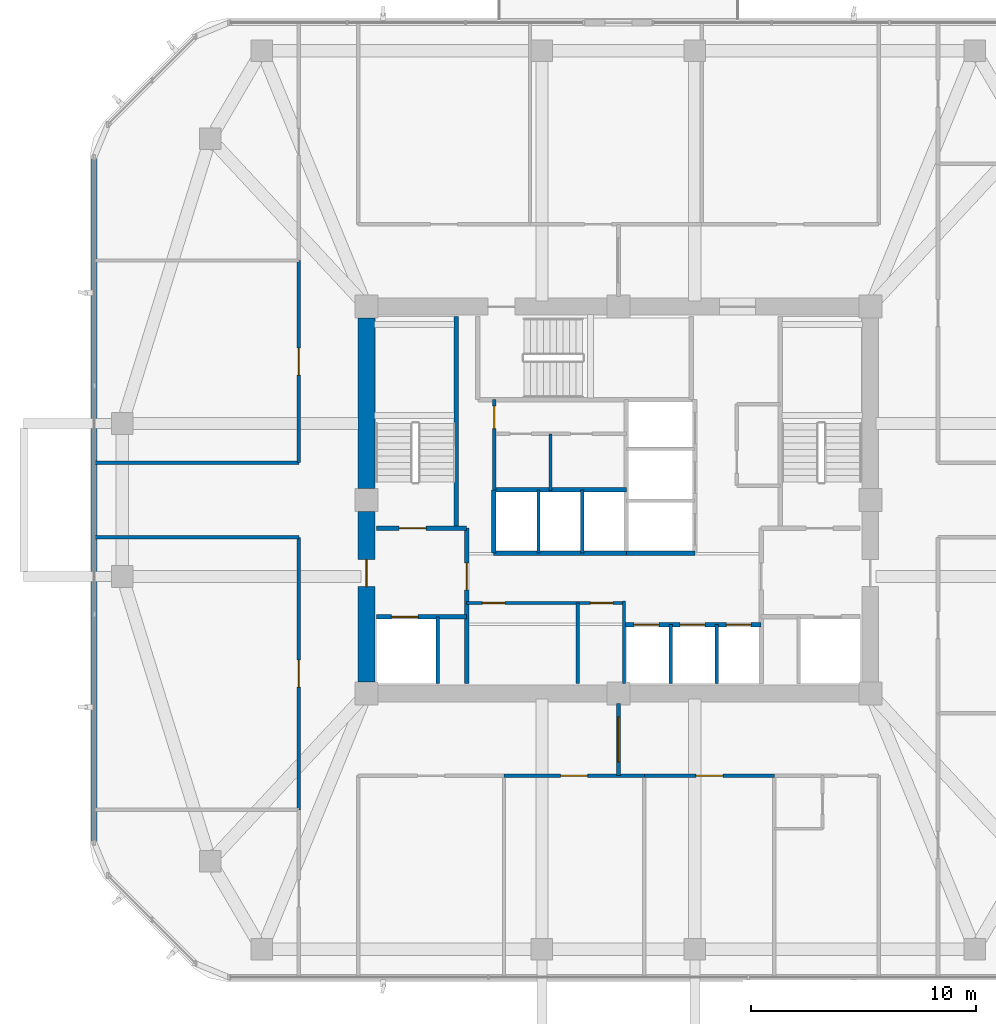
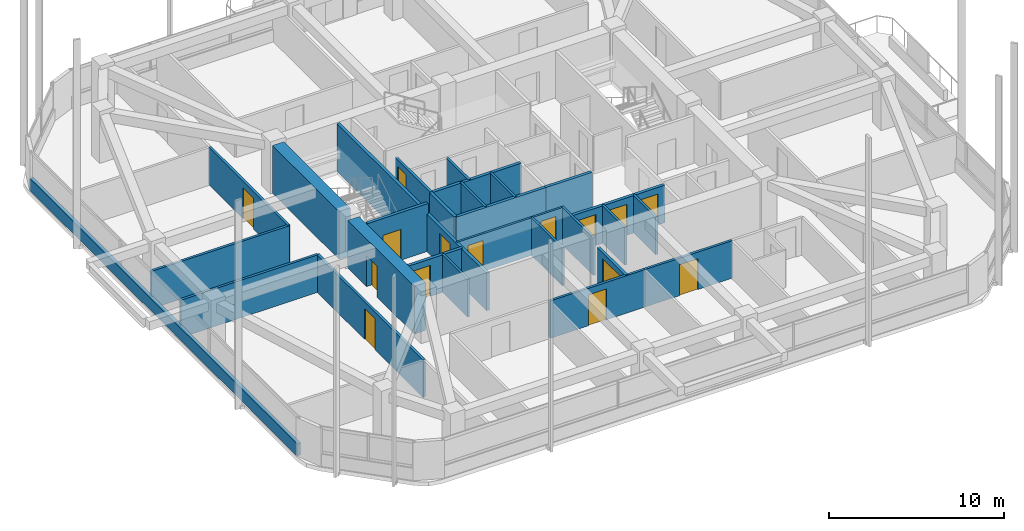
# One storey, part 8 of 14: 29 walls, 15 doors, 15 openings.
"""IFC4 building model written with IfcOpenShell, lengths in metres."""

from ifc_helpers import new_model, si_unit, derived_unit, direction, frame, frame_2d, origin, place, context, subcontext, project, spatial, rectangle, extrude, material, layer, layer_set, type_object, element, fill, save


model = new_model("IFC4")

# Units and contexts
model_context = context("Model", 3, precision=1e-05, world=origin(), true_north=direction((0.0, 1.0)))
body_context = subcontext(model_context, "Body", "Model", "MODEL_VIEW")
ifc_project = project(units=[si_unit("LENGTHUNIT", "METRE"), si_unit("AREAUNIT", "SQUARE_METRE"), si_unit("VOLUMEUNIT", "CUBIC_METRE"), si_unit("PLANEANGLEUNIT", "RADIAN"), si_unit("MASSUNIT", "GRAM", prefix="KILO"), derived_unit("THERMALTRANSMITTANCEUNIT", [(si_unit("POWERUNIT", "WATT"), 1), (si_unit("LENGTHUNIT", "METRE"), -2), (si_unit("THERMODYNAMICTEMPERATUREUNIT", "KELVIN"), -1)])], contexts=[model_context])

# Site, building, storey
site_placement = place(None, origin())
site = spatial("IfcSite", under=ifc_project, at=site_placement, CompositionType="ELEMENT")
building_placement = place(site_placement, origin())
building = spatial("IfcBuilding", under=site, at=building_placement, Name="Koralith Skygarden Medical Center", CompositionType="ELEMENT")
storey_placement = place(building_placement, frame((0.0, 0.0, 160.02001953125)))
storey = spatial("IfcBuildingStorey", under=building, at=storey_placement, Name="L41", CompositionType="ELEMENT", Elevation=160.02001953125)

# Wall, openings, doors
ifc_material_1 = material(Name="Gypsum Board Partition")
ifc_layer_1 = layer(ifc_material_1, 0.14990234375)
ifc_layer_set_1 = layer_set([ifc_layer_1], Name="Gypsum Board Partition")
wall_type_1 = type_object("IfcWallType", Name="Clinical Acoustic Partition 150", PredefinedType="PARTITIONING", material=ifc_layer_set_1)
wall_1_placement = place(storey_placement, frame((30.25, 21.320068359375, 0.0), z_axis=(0.0, 0.0, 1.0), x_axis=(1.0, 0.0, 0.0)))
wall_1 = element("IfcWall", 1, at=wall_1_placement, inside=storey, type_object=wall_type_1, Name="L41 Clinical Acoustic Partition 150 W-CORE-L41-FREED-LR-N", PredefinedType="PARTITIONING", context=body_context, shape_type="SweptSolid", body=[
    extrude(rectangle(XDim=7.0, YDim=0.14990234375, at=frame_2d((3.5, 0.0))), origin(), (0.0, 0.0, 1.0), 2.60986328125),
])
opening_1_placement = place(wall_1_placement, frame((0.699951171875, 0.0, 0.0)))
opening_1 = element("IfcOpeningElement", 2, at=opening_1_placement, cuts=wall_1, Name="Opening D-SUP", PredefinedType="OPENING", context=body_context, shape_type="SweptSolid", body=[
    extrude(rectangle(XDim=1.0, YDim=2.14990234375, at=frame_2d((0.5, 1.074951171875))), frame((0.0, 0.0849609375, 0.0), z_axis=(0.0, -1.0, 0.0), x_axis=(1.0, 0.0, 0.0)), (0.0, 0.0, 1.0), 0.169921875),
])
opening_2_placement = place(wall_1_placement, frame((5.5, 0.0, 0.0)))
opening_2 = element("IfcOpeningElement", 3, at=opening_2_placement, cuts=wall_1, Name="Opening D-SUP", PredefinedType="OPENING", context=body_context, shape_type="SweptSolid", body=[
    extrude(rectangle(XDim=1.0, YDim=2.14990234375, at=frame_2d((0.5, 1.074951171875))), frame((0.0, 0.0849609375, 0.0), z_axis=(0.0, -1.0, 0.0), x_axis=(1.0, 0.0, 0.0)), (0.0, 0.0, 1.0), 0.169921875),
])
ifc_material_2 = material(Name="Aluminium 6063-T6", Category="aluminium")
door_type_1 = type_object("IfcDoorType", Name="Clinical Support Door D-SUP 1000", OperationType="NOTDEFINED", PredefinedType="DOOR", material=ifc_material_2)
door_1_placement = place(opening_1_placement, frame((1.0, 0.0, 0.0), z_axis=(0.0, 0.0, 1.0), x_axis=(-1.0, 0.0, 0.0)))
door_1 = element("IfcDoor", 4, at=door_1_placement, inside=storey, type_object=door_type_1, Name="L41 Medication Preparation Door", OperationType="SINGLE_SWING_LEFT", OverallHeight=2.14990234375, OverallWidth=1.0, PredefinedType="DOOR", context=body_context, shape_type="SweptSolid", body=[
    extrude(rectangle(XDim=1.0, YDim=2.14990234375, at=frame_2d((0.5, 1.074951171875))), frame((0.0, 0.02490234375, 0.0), z_axis=(0.0, -1.0, 0.0), x_axis=(1.0, 0.0, 0.0)), (0.0, 0.0, 1.0), 0.050048828125),
])
fill(opening_1, door_1)
door_2_placement = place(opening_2_placement, frame((1.0, 0.0, 0.0), z_axis=(0.0, 0.0, 1.0), x_axis=(-1.0, 0.0, 0.0)))
door_2 = element("IfcDoor", 5, at=door_2_placement, inside=storey, type_object=door_type_1, Name="L41 Telemetry Room Door", OperationType="SINGLE_SWING_RIGHT", OverallHeight=2.14990234375, OverallWidth=1.0, PredefinedType="DOOR", context=body_context, shape_type="SweptSolid", body=[
    extrude(rectangle(XDim=1.0, YDim=2.14990234375, at=frame_2d((0.5, 1.074951171875))), frame((0.0, 0.02490234375, 0.0), z_axis=(0.0, -1.0, 0.0), x_axis=(1.0, 0.0, 0.0)), (0.0, 0.0, 1.0), 0.050048828125),
])
fill(opening_2, door_2)

# Walls
wall_2_placement = place(storey_placement, frame((35.199951171875, 17.75, 0.0), z_axis=(0.0, 0.0, 1.0), x_axis=(0.0, 1.0, 0.0)))
element("IfcWall", 6, at=wall_2_placement, inside=storey, type_object=wall_type_1, Name="L41 Clinical Acoustic Partition 150 W-CORE-L41-FREED-LR-M", PredefinedType="PARTITIONING", context=body_context, shape_type="SweptSolid", body=[
    extrude(rectangle(XDim=3.570068359375, YDim=0.14990234375, at=frame_2d((1.78515625, 0.0))), origin(), (0.0, 0.0, 1.0), 2.60986328125),
])
wall_3_placement = place(storey_placement, frame((33.97998046875, 26.320068359375, 0.0), z_axis=(0.0, 0.0, 1.0), x_axis=(0.0, 1.0, 0.0)))
element("IfcWall", 7, at=wall_3_placement, inside=storey, type_object=wall_type_1, Name="L41 Clinical Acoustic Partition 150 W-CORE-L41-FLEX-V3A", PredefinedType="PARTITIONING", context=body_context, shape_type="SweptSolid", body=[
    extrude(rectangle(XDim=2.52001953125, YDim=0.14990234375, at=frame_2d((1.260009765625, 0.0))), origin(), (0.0, 0.0, 1.0), 2.60986328125),
])
ifc_layer_2 = layer(ifc_material_1, 0.1650390625)
ifc_layer_set_2 = layer_set([ifc_layer_2], Name="Gypsum Board Partition")
wall_type_2 = type_object("IfcWallType", Name="Clinical Corridor Partition 165", PredefinedType="PARTITIONING", material=ifc_layer_set_2)
for number, where, z_axis, x_axis, name in (
    (8, (13.716064453125, 24.239990234375, 0.0), (0.0, 0.0, 1.0), (1.0, 0.0, 0.0), "L41 Clinical Corridor Partition 165 W-HCOR-L41-EWS-W"),
    (9, (13.716064453125, 27.56005859375, 0.0), (0.0, 0.0, 1.0), (1.0, 0.0, 0.0), "L41 Clinical Corridor Partition 165 W-HCOR-L41-EWN-W"),
):
    element("IfcWall", number, at=place(storey_placement, frame(where, z_axis=z_axis, x_axis=x_axis)), inside=storey, type_object=wall_type_2, Name=name, PredefinedType="PARTITIONING", context=body_context, shape_type="SweptSolid", body=[
        extrude(rectangle(XDim=9.073974609375, YDim=0.1650390625, at=frame_2d((4.537109375, 0.0))), origin(), (0.0, 0.0, 1.0), 2.60986328125),
    ])

# Wall, opening, door
wall_4_placement = place(storey_placement, frame((31.9140625, 13.639892578125, 0.0), z_axis=(0.0, 0.0, 1.0), x_axis=(1.0, 0.0, 0.0)))
wall_4 = element("IfcWall", 10, at=wall_4_placement, inside=storey, type_object=wall_type_2, Name="L41 Clinical Corridor Partition 165 W-CORR-L41-S-02", PredefinedType="PARTITIONING", context=body_context, shape_type="SweptSolid", body=[
    extrude(rectangle(XDim=6.241943359375, YDim=0.1650390625, at=frame_2d((3.12109375, 0.0))), origin(), (0.0, 0.0, 1.0), 2.60986328125),
])
opening_3_placement = place(wall_4_placement, frame((2.52099609375, 0.0, 0.0)))
opening_3 = element("IfcOpeningElement", 11, at=opening_3_placement, cuts=wall_4, Name="Opening D-CLN", PredefinedType="OPENING", context=body_context, shape_type="SweptSolid", body=[
    extrude(rectangle(XDim=1.199951171875, YDim=2.14990234375, at=frame_2d((0.60009765625, 1.074951171875))), frame((0.0, 0.092529296875, 0.0), z_axis=(0.0, -1.0, 0.0), x_axis=(1.0, 0.0, 0.0)), (0.0, 0.0, 1.0), 0.18505859375),
])
door_type_2 = type_object("IfcDoorType", Name="Clinical Corridor Door D-CLN 1200", OperationType="NOTDEFINED", PredefinedType="DOOR", material=ifc_material_2)
door_3_placement = place(opening_3_placement, frame((1.199951171875, 0.0, 0.0), z_axis=(0.0, 0.0, 1.0), x_axis=(-1.0, 0.0, 0.0)))
door_3 = element("IfcDoor", 12, at=door_3_placement, inside=storey, type_object=door_type_2, Name="L41 Clean Nursery Supply Store 05 Door", OperationType="SINGLE_SWING_RIGHT", OverallHeight=2.14990234375, OverallWidth=1.199951171875, PredefinedType="DOOR", context=body_context, shape_type="SweptSolid", body=[
    extrude(rectangle(XDim=1.199951171875, YDim=2.14990234375, at=frame_2d((0.60009765625, 1.074951171875))), frame((0.0, 0.02490234375, 0.0), z_axis=(0.0, -1.0, 0.0), x_axis=(1.0, 0.0, 0.0)), (0.0, 0.0, 1.0), 0.050048828125),
])
fill(opening_3, door_3)

wall_5_placement = place(storey_placement, frame((38.156005859375, 13.639892578125, 0.0), z_axis=(0.0, 0.0, 1.0), x_axis=(1.0, 0.0, 0.0)))
wall_5 = element("IfcWall", 13, at=wall_5_placement, inside=storey, type_object=wall_type_2, Name="L41 Clinical Corridor Partition 165 W-CORR-L41-S-03", PredefinedType="PARTITIONING", context=body_context, shape_type="SweptSolid", body=[
    extrude(rectangle(XDim=5.780029296875, YDim=0.1650390625, at=frame_2d((2.89013671875, 0.0))), origin(), (0.0, 0.0, 1.0), 2.60986328125),
])
opening_4_placement = place(wall_5_placement, frame((2.2900390625, 0.0, 0.0)))
opening_4 = element("IfcOpeningElement", 14, at=opening_4_placement, cuts=wall_5, Name="Opening D-CLN", PredefinedType="OPENING", context=body_context, shape_type="SweptSolid", body=[
    extrude(rectangle(XDim=1.199951171875, YDim=2.14990234375, at=frame_2d((0.60009765625, 1.074951171875))), frame((0.0, 0.092529296875, 0.0), z_axis=(0.0, -1.0, 0.0), x_axis=(1.0, 0.0, 0.0)), (0.0, 0.0, 1.0), 0.18505859375),
])
door_4_placement = place(opening_4_placement, frame((1.199951171875, 0.0, 0.0), z_axis=(0.0, 0.0, 1.0), x_axis=(-1.0, 0.0, 0.0)))
door_4 = element("IfcDoor", 15, at=door_4_placement, inside=storey, type_object=door_type_2, Name="L41 Maternal Fetal Family Lounge 06 Door", OperationType="SINGLE_SWING_LEFT", OverallHeight=2.14990234375, OverallWidth=1.199951171875, PredefinedType="DOOR", context=body_context, shape_type="SweptSolid", body=[
    extrude(rectangle(XDim=1.199951171875, YDim=2.14990234375, at=frame_2d((0.60009765625, 1.074951171875))), frame((0.0, 0.02490234375, 0.0), z_axis=(0.0, -1.0, 0.0), x_axis=(1.0, 0.0, 0.0)), (0.0, 0.0, 1.0), 0.050048828125),
])
fill(opening_4, door_4)

wall_6_placement = place(storey_placement, frame((22.7900390625, 12.125, 0.0), z_axis=(0.0, 0.0, 1.0), x_axis=(0.0, 1.0, 0.0)))
wall_6 = element("IfcWall", 16, at=wall_6_placement, inside=storey, type_object=wall_type_2, Name="L41 Clinical Corridor Partition 165 W-CORR-L41-WS-02", PredefinedType="PARTITIONING", context=body_context, shape_type="SweptSolid", body=[
    extrude(rectangle(XDim=12.114990234375, YDim=0.1650390625, at=frame_2d((6.0576171875, 0.0))), origin(), (0.0, 0.0, 1.0), 2.60986328125),
])
opening_5_placement = place(wall_6_placement, frame((5.45703125, 0.0, 0.0)))
opening_5 = element("IfcOpeningElement", 17, at=opening_5_placement, cuts=wall_6, Name="Opening D-CLN", PredefinedType="OPENING", context=body_context, shape_type="SweptSolid", body=[
    extrude(rectangle(XDim=1.199951171875, YDim=2.14990234375, at=frame_2d((0.60009765625, 1.074951171875))), frame((0.0, 0.092529296875, 0.0), z_axis=(0.0, -1.0, 0.0), x_axis=(1.0, 0.0, 0.0)), (0.0, 0.0, 1.0), 0.18505859375),
])
door_5_placement = place(opening_5_placement, frame((1.199951171875, 0.0, 0.0), z_axis=(0.0, 0.0, 1.0), x_axis=(-1.0, 0.0, 0.0)))
door_5 = element("IfcDoor", 18, at=door_5_placement, inside=storey, type_object=door_type_2, Name="L41 Genetic Counseling Office 09 Door", OperationType="SINGLE_SWING_RIGHT", OverallHeight=2.14990234375, OverallWidth=1.199951171875, PredefinedType="DOOR", context=body_context, shape_type="SweptSolid", body=[
    extrude(rectangle(XDim=1.199951171875, YDim=2.14990234375, at=frame_2d((0.60009765625, 1.074951171875))), frame((0.0, 0.02490234375, 0.0), z_axis=(0.0, -1.0, 0.0), x_axis=(1.0, 0.0, 0.0)), (0.0, 0.0, 1.0), 0.050048828125),
])
fill(opening_5, door_5)

wall_7_placement = place(storey_placement, frame((22.7900390625, 27.56005859375, 0.0), z_axis=(0.0, 0.0, 1.0), x_axis=(0.0, 1.0, 0.0)))
wall_7 = element("IfcWall", 19, at=wall_7_placement, inside=storey, type_object=wall_type_2, Name="L41 Clinical Corridor Partition 165 W-CORR-L41-WN-01", PredefinedType="PARTITIONING", context=body_context, shape_type="SweptSolid", body=[
    extrude(rectangle(XDim=8.988037109375, YDim=0.1650390625, at=frame_2d((4.494140625, 0.0))), origin(), (0.0, 0.0, 1.0), 2.60986328125),
])
opening_6_placement = place(wall_7_placement, frame((3.89404296875, 0.0, 0.0)))
opening_6 = element("IfcOpeningElement", 20, at=opening_6_placement, cuts=wall_7, Name="Opening D-CLN", PredefinedType="OPENING", context=body_context, shape_type="SweptSolid", body=[
    extrude(rectangle(XDim=1.199951171875, YDim=2.14990234375, at=frame_2d((0.60009765625, 1.074951171875))), frame((0.0, 0.092529296875, 0.0), z_axis=(0.0, -1.0, 0.0), x_axis=(1.0, 0.0, 0.0)), (0.0, 0.0, 1.0), 0.18505859375),
])
door_6_placement = place(opening_6_placement, frame((1.199951171875, 0.0, 0.0), z_axis=(0.0, 0.0, 1.0), x_axis=(-1.0, 0.0, 0.0)))
door_6 = element("IfcDoor", 21, at=door_6_placement, inside=storey, type_object=door_type_2, Name="L41 Clean Nursery Supply Store 10 Door", OperationType="SINGLE_SWING_LEFT", OverallHeight=2.14990234375, OverallWidth=1.199951171875, PredefinedType="DOOR", context=body_context, shape_type="SweptSolid", body=[
    extrude(rectangle(XDim=1.199951171875, YDim=2.14990234375, at=frame_2d((0.60009765625, 1.074951171875))), frame((0.0, 0.02490234375, 0.0), z_axis=(0.0, -1.0, 0.0), x_axis=(1.0, 0.0, 0.0)), (0.0, 0.0, 1.0), 0.050048828125),
])
fill(opening_6, door_6)

ifc_layer_3 = layer(ifc_material_1, 0.199951171875)
ifc_layer_set_3 = layer_set([ifc_layer_3], Name="Gypsum Board Partition")
wall_type_3 = type_object("IfcWallType", Name="Fire Shaft Wall 200", PredefinedType="SOLIDWALL", material=ifc_layer_set_3)
wall_8_placement = place(storey_placement, frame((26.25, 20.699951171875, 0.0), z_axis=(0.0, 0.0, 1.0), x_axis=(1.0, 0.0, 0.0)))
wall_8 = element("IfcWall", 22, at=wall_8_placement, inside=storey, type_object=wall_type_3, Name="L41 Fire Shaft Wall 200 W-CORE-L41-FF1-N", PredefinedType="SOLIDWALL", context=body_context, shape_type="SweptSolid", body=[
    extrude(rectangle(XDim=4.0, YDim=0.199951171875, at=frame_2d((2.0, 0.0))), origin(), (0.0, 0.0, 1.0), 2.60986328125),
])
opening_7_placement = place(wall_8_placement, frame((0.64990234375, 0.0, 0.0)))
opening_7 = element("IfcOpeningElement", 23, at=opening_7_placement, cuts=wall_8, Name="Opening LD-FF", PredefinedType="OPENING", context=body_context, shape_type="SweptSolid", body=[
    extrude(rectangle(XDim=1.199951171875, YDim=2.14990234375, at=frame_2d((0.60009765625, 1.074951171875))), frame((0.0, 0.10986328125, 0.0), z_axis=(0.0, -1.0, 0.0), x_axis=(1.0, 0.0, 0.0)), (0.0, 0.0, 1.0), 0.219970703125),
])
ifc_material_3 = material(Name="Steel ASTM A500 Grade C", Category="steel")
door_type_3 = type_object("IfcDoorType", Name="Fire Lift Sliding Landing Door LD-FF 1200", OperationType="NOTDEFINED", PredefinedType="DOOR", material=ifc_material_3)
door_7_placement = place(opening_7_placement, origin())
door_7 = element("IfcDoor", 24, at=door_7_placement, inside=storey, type_object=door_type_3, Name="L41 Fire Service Elevator FF1 Landing Door", OperationType="SLIDING_TO_LEFT", OverallHeight=2.14990234375, OverallWidth=1.199951171875, PredefinedType="DOOR", context=body_context, shape_type="SweptSolid", body=[
    extrude(rectangle(XDim=1.199951171875, YDim=2.14990234375, at=frame_2d((0.60009765625, 1.074951171875))), frame((0.0, 0.02490234375, 0.0), z_axis=(0.0, -1.0, 0.0), x_axis=(1.0, 0.0, 0.0)), (0.0, 0.0, 1.0), 0.050048828125),
])
fill(opening_7, door_7)

wall_9_placement = place(storey_placement, frame((30.25, 17.75, 0.0), z_axis=(0.0, 0.0, 1.0), x_axis=(0.0, 1.0, 0.0)))
wall_9 = element("IfcWall", 25, at=wall_9_placement, inside=storey, type_object=wall_type_3, Name="L41 Fire Shaft Wall 200 W-CORE-L41-FSAEW-E", PredefinedType="SOLIDWALL", context=body_context, shape_type="SweptSolid", body=[
    extrude(rectangle(XDim=6.89990234375, YDim=0.199951171875, at=frame_2d((3.449951171875, 0.0))), origin(), (0.0, 0.0, 1.0), 2.60986328125),
])
opening_8_placement = place(wall_9_placement, frame((4.14990234375, 0.0, 0.0)))
opening_8 = element("IfcOpeningElement", 26, at=opening_8_placement, cuts=wall_9, Name="Opening D-ST60", PredefinedType="OPENING", context=body_context, shape_type="SweptSolid", body=[
    extrude(rectangle(XDim=1.199951171875, YDim=2.14990234375, at=frame_2d((0.60009765625, 1.074951171875))), frame((0.0, 0.10986328125, 0.0), z_axis=(0.0, -1.0, 0.0), x_axis=(1.0, 0.0, 0.0)), (0.0, 0.0, 1.0), 0.219970703125),
])
door_type_4 = type_object("IfcDoorType", Name="Smokeproof Stair Fire Door FD60S 1200", OperationType="NOTDEFINED", PredefinedType="DOOR", material=ifc_material_3)
door_8_placement = place(opening_8_placement, origin())
door_8 = element("IfcDoor", 27, at=door_8_placement, inside=storey, type_object=door_type_4, Name="L41 West Firefighting Lobby Inner Fire Door", OperationType="SINGLE_SWING_LEFT", OverallHeight=2.14990234375, OverallWidth=1.199951171875, PredefinedType="DOOR", context=body_context, shape_type="SweptSolid", body=[
    extrude(rectangle(XDim=1.199951171875, YDim=2.14990234375, at=frame_2d((0.60009765625, 1.074951171875))), frame((0.0, 0.02490234375, 0.0), z_axis=(0.0, -1.0, 0.0), x_axis=(1.0, 0.0, 0.0)), (0.0, 0.0, 1.0), 0.050048828125),
])
fill(opening_8, door_8)

# Wall, openings, doors
wall_10_placement = place(storey_placement, frame((37.25, 20.360107421875, 0.0), z_axis=(0.0, 0.0, 1.0), x_axis=(1.0, 0.0, 0.0)))
wall_10 = element("IfcWall", 28, at=wall_10_placement, inside=storey, type_object=wall_type_3, Name="L41 Fire Shaft Wall 200 W-CORE-L41-PM-N", PredefinedType="SOLIDWALL", context=body_context, shape_type="SweptSolid", body=[
    extrude(rectangle(XDim=6.10009765625, YDim=0.199951171875, at=frame_2d((3.050048828125, 0.0))), origin(), (0.0, 0.0, 1.0), 2.60986328125),
])
opening_9_placement = place(wall_10_placement, frame((0.449951171875, 0.0, 0.0)))
opening_9 = element("IfcOpeningElement", 29, at=opening_9_placement, cuts=wall_10, Name="Opening LD-P", PredefinedType="OPENING", context=body_context, shape_type="SweptSolid", body=[
    extrude(rectangle(XDim=1.10009765625, YDim=2.14990234375, at=frame_2d((0.550048828125, 1.074951171875))), frame((0.0, 0.10986328125, 0.0), z_axis=(0.0, -1.0, 0.0), x_axis=(1.0, 0.0, 0.0)), (0.0, 0.0, 1.0), 0.219970703125),
])
opening_10_placement = place(wall_10_placement, frame((2.5, 0.0, 0.0)))
opening_10 = element("IfcOpeningElement", 30, at=opening_10_placement, cuts=wall_10, Name="Opening LD-P", PredefinedType="OPENING", context=body_context, shape_type="SweptSolid", body=[
    extrude(rectangle(XDim=1.10009765625, YDim=2.14990234375, at=frame_2d((0.550048828125, 1.074951171875))), frame((0.0, 0.10986328125, 0.0), z_axis=(0.0, -1.0, 0.0), x_axis=(1.0, 0.0, 0.0)), (0.0, 0.0, 1.0), 0.219970703125),
])
opening_11_placement = place(wall_10_placement, frame((4.550048828125, 0.0, 0.0)))
opening_11 = element("IfcOpeningElement", 31, at=opening_11_placement, cuts=wall_10, Name="Opening LD-P", PredefinedType="OPENING", context=body_context, shape_type="SweptSolid", body=[
    extrude(rectangle(XDim=1.10009765625, YDim=2.14990234375, at=frame_2d((0.550048828125, 1.074951171875))), frame((0.0, 0.10986328125, 0.0), z_axis=(0.0, -1.0, 0.0), x_axis=(1.0, 0.0, 0.0)), (0.0, 0.0, 1.0), 0.219970703125),
])
door_type_5 = type_object("IfcDoorType", Name="Passenger Lift Sliding Landing Door LD-P 1100", OperationType="NOTDEFINED", PredefinedType="DOOR", material=ifc_material_3)
door_9_placement = place(opening_9_placement, origin())
door_9 = element("IfcDoor", 32, at=door_9_placement, inside=storey, type_object=door_type_5, Name="L41 Passenger Elevator PM1 Landing Door", OperationType="SLIDING_TO_LEFT", OverallHeight=2.14990234375, OverallWidth=1.10009765625, PredefinedType="DOOR", context=body_context, shape_type="SweptSolid", body=[
    extrude(rectangle(XDim=1.10009765625, YDim=2.14990234375, at=frame_2d((0.550048828125, 1.074951171875))), frame((0.0, 0.02490234375, 0.0), z_axis=(0.0, -1.0, 0.0), x_axis=(1.0, 0.0, 0.0)), (0.0, 0.0, 1.0), 0.050048828125),
])
fill(opening_9, door_9)
door_10_placement = place(opening_10_placement, origin())
door_10 = element("IfcDoor", 33, at=door_10_placement, inside=storey, type_object=door_type_5, Name="L41 Passenger Elevator PM2 Landing Door", OperationType="SLIDING_TO_LEFT", OverallHeight=2.14990234375, OverallWidth=1.10009765625, PredefinedType="DOOR", context=body_context, shape_type="SweptSolid", body=[
    extrude(rectangle(XDim=1.10009765625, YDim=2.14990234375, at=frame_2d((0.550048828125, 1.074951171875))), frame((0.0, 0.02490234375, 0.0), z_axis=(0.0, -1.0, 0.0), x_axis=(1.0, 0.0, 0.0)), (0.0, 0.0, 1.0), 0.050048828125),
])
fill(opening_10, door_10)
door_11_placement = place(opening_11_placement, origin())
door_11 = element("IfcDoor", 34, at=door_11_placement, inside=storey, type_object=door_type_5, Name="L41 Passenger Elevator PM3 Landing Door", OperationType="SLIDING_TO_LEFT", OverallHeight=2.14990234375, OverallWidth=1.10009765625, PredefinedType="DOOR", context=body_context, shape_type="SweptSolid", body=[
    extrude(rectangle(XDim=1.10009765625, YDim=2.14990234375, at=frame_2d((0.550048828125, 1.074951171875))), frame((0.0, 0.02490234375, 0.0), z_axis=(0.0, -1.0, 0.0), x_axis=(1.0, 0.0, 0.0)), (0.0, 0.0, 1.0), 0.050048828125),
])
fill(opening_11, door_11)

# Walls
for number, where, z_axis, x_axis, name in (
    (35, (31.449951171875, 23.5400390625, 0.0), (0.0, 0.0, 1.0), (1.0, 0.0, 0.0), "L41 Fire Shaft Wall 200 W-CORE-L41-PH-S"),
    (36, (31.449951171875, 26.35009765625, 0.0), (0.0, 0.0, 1.0), (1.0, 0.0, 0.0), "L41 Fire Shaft Wall 200 W-CORE-L41-PH-N"),
):
    element("IfcWall", number, at=place(storey_placement, frame(where, z_axis=z_axis, x_axis=x_axis)), inside=storey, type_object=wall_type_3, Name=name, PredefinedType="SOLIDWALL", context=body_context, shape_type="SweptSolid", body=[
        extrude(rectangle(XDim=5.900146484375, YDim=0.199951171875, at=frame_2d((2.9501953125, 0.0))), origin(), (0.0, 0.0, 1.0), 2.60986328125),
    ])
wall_11_placement = place(storey_placement, frame((31.449951171875, 23.5400390625, 0.0), z_axis=(0.0, 0.0, 1.0), x_axis=(0.0, 1.0, 0.0)))
element("IfcWall", 37, at=wall_11_placement, inside=storey, type_object=wall_type_3, Name="L41 Fire Shaft Wall 200 W-CORE-L41-PH-W", PredefinedType="SOLIDWALL", context=body_context, shape_type="SweptSolid", body=[
    extrude(rectangle(XDim=2.81005859375, YDim=0.199951171875, at=frame_2d((1.405029296875, 0.0))), origin(), (0.0, 0.0, 1.0), 2.60986328125),
])
wall_12_placement = place(storey_placement, frame((37.35009765625, 23.5400390625, 0.0), z_axis=(0.0, 0.0, 1.0), x_axis=(1.0, 0.0, 0.0)))
element("IfcWall", 38, at=wall_12_placement, inside=storey, type_object=wall_type_3, Name="L41 Fire Shaft Wall 200 W-CORE-L41-SV-S", PredefinedType="SOLIDWALL", context=body_context, shape_type="SweptSolid", body=[
    extrude(rectangle(XDim=3.0498046875, YDim=0.199951171875, at=frame_2d((1.52490234375, 0.0))), origin(), (0.0, 0.0, 1.0), 2.60986328125),
])

# Wall, opening, door
ifc_layer_4 = layer(ifc_material_1, 0.179931640625)
ifc_layer_set_4 = layer_set([ifc_layer_4], Name="Gypsum Board Partition")
wall_type_4 = type_object("IfcWallType", Name="Group I-2 Smoke Barrier Wall 180", PredefinedType="PARTITIONING", material=ifc_layer_set_4)
wall_13_placement = place(storey_placement, frame((37.0, 13.639892578125, 0.0), z_axis=(0.0, 0.0, 1.0), x_axis=(0.0, 1.0, 0.0)))
wall_13 = element("IfcWall", 39, at=wall_13_placement, inside=storey, type_object=wall_type_4, Name="L41 Group I-2 Smoke Barrier Wall 180 W-SMK-L41-S", PredefinedType="PARTITIONING", context=body_context, shape_type="SweptSolid", body=[
    extrude(rectangle(XDim=3.210205078125, YDim=0.179931640625, at=frame_2d((1.60498046875, 0.0))), origin(), (0.0, 0.0, 1.0), 2.60986328125),
])
opening_12_placement = place(wall_13_placement, frame((0.60498046875, 0.0, 0.0)))
opening_12 = element("IfcOpeningElement", 40, at=opening_12_placement, cuts=wall_13, Name="Opening D-SMK", PredefinedType="OPENING", context=body_context, shape_type="SweptSolid", body=[
    extrude(rectangle(XDim=2.0, YDim=2.199951171875, at=frame_2d((1.0, 1.10009765625))), frame((0.0, 0.099853515625, 0.0), z_axis=(0.0, -1.0, 0.0), x_axis=(1.0, 0.0, 0.0)), (0.0, 0.0, 1.0), 0.199951171875),
])
door_type_6 = type_object("IfcDoorType", Name="Cross-Corridor Double Smoke Door FD60S 2000", OperationType="NOTDEFINED", PredefinedType="DOOR", material=ifc_material_3)
door_12_placement = place(opening_12_placement, frame((2.0, 0.0, 0.0), z_axis=(0.0, 0.0, 1.0), x_axis=(-1.0, 0.0, 0.0)))
door_12 = element("IfcDoor", 41, at=door_12_placement, inside=storey, type_object=door_type_6, Name="L41 S Smoke Compartment Cross-Corridor Door", OperationType="DOUBLE_DOOR_SINGLE_SWING", OverallHeight=2.199951171875, OverallWidth=2.0, PredefinedType="DOOR", context=body_context, shape_type="SweptSolid", body=[
    extrude(rectangle(XDim=2.0, YDim=2.199951171875, at=frame_2d((1.0, 1.10009765625))), frame((0.0, 0.02490234375, 0.0), z_axis=(0.0, -1.0, 0.0), x_axis=(1.0, 0.0, 0.0)), (0.0, 0.0, 1.0), 0.050048828125),
])
fill(opening_12, door_12)

# Walls
ifc_material_4 = material(Name="Warm Oolitic Limestone Cladding", Category="masonry")
ifc_layer_5 = layer(ifc_material_4, 0.239990234375)
ifc_layer_set_5 = layer_set([ifc_layer_5], Name="Warm Oolitic Limestone Cladding")
wall_type_5 = type_object("IfcWallType", Name="Limestone Spandrel Sill Backup Wall 240", PredefinedType="SOLIDWALL", material=ifc_layer_set_5)
wall_14_placement = place(storey_placement, frame((13.696044921875, 41.14501953125, 0.0), z_axis=(0.0, 0.0, 1.0), x_axis=(0.0, -1.0, 0.0)))
element("IfcWall", 42, at=wall_14_placement, inside=storey, type_object=wall_type_5, Name="L41 Sill Spandrel W", PredefinedType="SOLIDWALL", context=body_context, shape_type="SweptSolid", body=[
    extrude(rectangle(XDim=30.489990234375, YDim=0.239990234375, at=frame_2d((15.2451171875, 0.0))), origin(), (0.0, 0.0, 1.0), 0.85009765625),
])
ifc_material_5 = material(Name="Concrete C70/85", Category="concrete")
ifc_layer_6 = layer(ifc_material_5, 0.75)
ifc_layer_set_6 = layer_set([ifc_layer_6], Name="Concrete C70/85")
wall_type_6 = type_object("IfcWallType", Name="Mid Core Shear Wall 750", PredefinedType="SHEAR", material=ifc_layer_set_6)
wall_15_placement = place(storey_placement, frame((25.800048828125, 33.9951171875, 0.0), z_axis=(0.0, 0.0, 1.0), x_axis=(0.0, -1.0, 0.0)))
element("IfcWall", 43, at=wall_15_placement, inside=storey, type_object=wall_type_6, Name="L41 Core Shear Wall Segment 7", PredefinedType="SHEAR", context=body_context, shape_type="SweptSolid", body=[
    extrude(rectangle(XDim=7.590087890625, YDim=0.75, at=frame_2d((3.794921875, 0.0))), origin(), (0.0, 0.0, 1.0), 3.320068359375),
])

# Wall, opening, door
wall_16_placement = place(storey_placement, frame((25.800048828125, 25.39501953125, 0.0), z_axis=(0.0, 0.0, 1.0), x_axis=(0.0, -1.0, 0.0)))
wall_16 = element("IfcWall", 44, at=wall_16_placement, inside=storey, type_object=wall_type_6, Name="L41 Core Shear Wall Segment 8", PredefinedType="SHEAR", context=body_context, shape_type="SweptSolid", body=[
    extrude(rectangle(XDim=7.590087890625, YDim=0.75, at=frame_2d((3.794921875, 0.0))), origin(), (0.0, 0.0, 1.0), 3.320068359375),
])
opening_13_placement = place(wall_16_placement, frame((2.14501953125, 0.0, 0.0)))
opening_13 = element("IfcOpeningElement", 45, at=opening_13_placement, cuts=wall_16, Name="Opening D-ST60", PredefinedType="OPENING", context=body_context, shape_type="SweptSolid", body=[
    extrude(rectangle(XDim=1.199951171875, YDim=2.14990234375, at=frame_2d((0.60009765625, 1.074951171875))), frame((0.0, 0.385009765625, 0.0), z_axis=(0.0, -1.0, 0.0), x_axis=(1.0, 0.0, 0.0)), (0.0, 0.0, 1.0), 0.77001953125),
])
door_13_placement = place(opening_13_placement, frame((1.199951171875, 0.0, 0.0), z_axis=(0.0, 0.0, 1.0), x_axis=(-1.0, 0.0, 0.0)))
door_13 = element("IfcDoor", 46, at=door_13_placement, inside=storey, type_object=door_type_4, Name="L41 West Corridor to Firefighting Lobby Door", OperationType="SINGLE_SWING_LEFT", OverallHeight=2.14990234375, OverallWidth=1.199951171875, PredefinedType="DOOR", context=body_context, shape_type="SweptSolid", body=[
    extrude(rectangle(XDim=1.199951171875, YDim=2.14990234375, at=frame_2d((0.60009765625, 1.074951171875))), frame((0.0, 0.02490234375, 0.0), z_axis=(0.0, -1.0, 0.0), x_axis=(1.0, 0.0, 0.0)), (0.0, 0.0, 1.0), 0.050048828125),
])
fill(opening_13, door_13)

ifc_layer_7 = layer(ifc_material_1, 0.1650390625)
ifc_layer_set_7 = layer_set([ifc_layer_7], Name="Gypsum Board Partition")
wall_type_7 = type_object("IfcWallType", Name="Plumbing Wet Wall 165", PredefinedType="PLUMBINGWALL", material=ifc_layer_set_7)
wall_17_placement = place(storey_placement, frame((31.47998046875, 26.320068359375, 0.0), z_axis=(0.0, 0.0, 1.0), x_axis=(0.0, 1.0, 0.0)))
wall_17 = element("IfcWall", 47, at=wall_17_placement, inside=storey, type_object=wall_type_7, Name="L41 Plumbing Wet Wall 165 W-CORE-L41-FLEX-W", PredefinedType="PLUMBINGWALL", context=body_context, shape_type="SweptSolid", body=[
    extrude(rectangle(XDim=4.0400390625, YDim=0.1650390625, at=frame_2d((2.02001953125, 0.0))), origin(), (0.0, 0.0, 1.0), 2.60986328125),
])
opening_14_placement = place(wall_17_placement, frame((2.75, 0.0, 0.0)))
opening_14 = element("IfcOpeningElement", 48, at=opening_14_placement, cuts=wall_17, Name="Opening D-SUP", PredefinedType="OPENING", context=body_context, shape_type="SweptSolid", body=[
    extrude(rectangle(XDim=1.0, YDim=2.14990234375, at=frame_2d((0.5, 1.074951171875))), frame((0.0, 0.092529296875, 0.0), z_axis=(0.0, -1.0, 0.0), x_axis=(1.0, 0.0, 0.0)), (0.0, 0.0, 1.0), 0.18505859375),
])
door_14_placement = place(opening_14_placement, frame((1.0, 0.0, 0.0), z_axis=(0.0, 0.0, 1.0), x_axis=(-1.0, 0.0, 0.0)))
door_14 = element("IfcDoor", 49, at=door_14_placement, inside=storey, type_object=door_type_1, Name="L41 Core Utility Alcove Door", OperationType="SINGLE_SWING_RIGHT", OverallHeight=2.14990234375, OverallWidth=1.0, PredefinedType="DOOR", context=body_context, shape_type="SweptSolid", body=[
    extrude(rectangle(XDim=1.0, YDim=2.14990234375, at=frame_2d((0.5, 1.074951171875))), frame((0.0, 0.02490234375, 0.0), z_axis=(0.0, -1.0, 0.0), x_axis=(1.0, 0.0, 0.0)), (0.0, 0.0, 1.0), 0.050048828125),
])
fill(opening_14, door_14)

# Walls
ifc_layer_8 = layer(ifc_material_1, 0.14990234375)
ifc_layer_set_8 = layer_set([ifc_layer_8], Name="Gypsum Board Partition")
wall_type_8 = type_object("IfcWallType", Name="Shaft Partition Wall 150", PredefinedType="PARTITIONING", material=ifc_layer_set_8)
wall_18_placement = place(storey_placement, frame((28.969970703125, 17.75, 0.0), z_axis=(0.0, 0.0, 1.0), x_axis=(0.0, 1.0, 0.0)))
element("IfcWall", 50, at=wall_18_placement, inside=storey, type_object=wall_type_8, Name="L41 Shaft Partition Wall 150 W-CORE-L41-RSRW-DIV", PredefinedType="PARTITIONING", context=body_context, shape_type="SweptSolid", body=[
    extrude(rectangle(XDim=2.949951171875, YDim=0.14990234375, at=frame_2d((1.47509765625, 0.0))), origin(), (0.0, 0.0, 1.0), 2.60986328125),
])
for number, where, z_axis, x_axis, name in (
    (51, (39.320068359375, 17.75, 0.0), (0.0, 0.0, 1.0), (0.0, 1.0, 0.0), "L41 Shaft Partition Wall 150 W-CORE-L41-PM-D1"),
    (52, (41.3701171875, 17.75, 0.0), (0.0, 0.0, 1.0), (0.0, 1.0, 0.0), "L41 Shaft Partition Wall 150 W-CORE-L41-PM-D2"),
):
    element("IfcWall", number, at=place(storey_placement, frame(where, z_axis=z_axis, x_axis=x_axis)), inside=storey, type_object=wall_type_8, Name=name, PredefinedType="PARTITIONING", context=body_context, shape_type="SweptSolid", body=[
        extrude(rectangle(XDim=2.610107421875, YDim=0.14990234375, at=frame_2d((1.30517578125, 0.0))), origin(), (0.0, 0.0, 1.0), 2.60986328125),
    ])
wall_19_placement = place(storey_placement, frame((37.25, 17.75, 0.0), z_axis=(0.0, 0.0, 1.0), x_axis=(0.0, 1.0, 0.0)))
element("IfcWall", 53, at=wall_19_placement, inside=storey, type_object=wall_type_8, Name="L41 Shaft Partition Wall 150 W-CORE-L41-PL-PM-SEP", PredefinedType="PARTITIONING", context=body_context, shape_type="SweptSolid", body=[
    extrude(rectangle(XDim=3.64990234375, YDim=0.14990234375, at=frame_2d((1.824951171875, 0.0))), origin(), (0.0, 0.0, 1.0), 2.60986328125),
])
for number, where, z_axis, x_axis, name in (
    (54, (33.449951171875, 23.5400390625, 0.0), (0.0, 0.0, 1.0), (0.0, 1.0, 0.0), "L41 Shaft Partition Wall 150 W-CORE-L41-PH-D1"),
    (55, (35.39990234375, 23.5400390625, 0.0), (0.0, 0.0, 1.0), (0.0, 1.0, 0.0), "L41 Shaft Partition Wall 150 W-CORE-L41-PH-D2"),
):
    element("IfcWall", number, at=place(storey_placement, frame(where, z_axis=z_axis, x_axis=x_axis)), inside=storey, type_object=wall_type_8, Name=name, PredefinedType="PARTITIONING", context=body_context, shape_type="SweptSolid", body=[
        extrude(rectangle(XDim=2.81005859375, YDim=0.14990234375, at=frame_2d((1.405029296875, 0.0))), origin(), (0.0, 0.0, 1.0), 2.60986328125),
    ])
ifc_material_6 = material(Name="Concrete C45/55", Category="concrete")
ifc_layer_9 = layer(ifc_material_6, 0.199951171875)
ifc_layer_set_9 = layer_set([ifc_layer_9], Name="Concrete C45/55")
wall_type_9 = type_object("IfcWallType", Name="Structural Stair Shaft Wall 200", PredefinedType="SHEAR", material=ifc_layer_set_9)
wall_20_placement = place(storey_placement, frame((29.800048828125, 24.64990234375, 0.0), z_axis=(0.0, 0.0, 1.0), x_axis=(0.0, 1.0, 0.0)))
element("IfcWall", 56, at=wall_20_placement, inside=storey, type_object=wall_type_9, Name="L41 Structural Stair Shaft Wall 200 W-CORE-L41-ST1-E", PredefinedType="SHEAR", context=body_context, shape_type="SweptSolid", body=[
    extrude(rectangle(XDim=9.400146484375, YDim=0.199951171875, at=frame_2d((4.7001953125, 0.0))), origin(), (0.0, 0.0, 1.0), 3.320068359375),
])

# Wall, opening, door
wall_21_placement = place(storey_placement, frame((26.25, 24.64990234375, 0.0), z_axis=(0.0, 0.0, 1.0), x_axis=(1.0, 0.0, 0.0)))
wall_21 = element("IfcWall", 57, at=wall_21_placement, inside=storey, type_object=wall_type_9, Name="L41 Structural Stair Shaft Wall 200 W-CORE-L41-ST1-S", PredefinedType="SHEAR", context=body_context, shape_type="SweptSolid", body=[
    extrude(rectangle(XDim=4.0, YDim=0.199951171875, at=frame_2d((2.0, 0.0))), origin(), (0.0, 0.0, 1.0), 3.320068359375),
])
opening_15_placement = place(wall_21_placement, frame((1.0, 0.0, 0.0)))
opening_15 = element("IfcOpeningElement", 58, at=opening_15_placement, cuts=wall_21, Name="Opening D-ST60", PredefinedType="OPENING", context=body_context, shape_type="SweptSolid", body=[
    extrude(rectangle(XDim=1.199951171875, YDim=2.14990234375, at=frame_2d((0.60009765625, 1.074951171875))), frame((0.0, 0.10986328125, 0.0), z_axis=(0.0, -1.0, 0.0), x_axis=(1.0, 0.0, 0.0)), (0.0, 0.0, 1.0), 0.219970703125),
])
door_15_placement = place(opening_15_placement, origin())
door_15 = element("IfcDoor", 59, at=door_15_placement, inside=storey, type_object=door_type_4, Name="L41 Exit Stair ST1 Fire Door", OperationType="SINGLE_SWING_LEFT", OverallHeight=2.14990234375, OverallWidth=1.199951171875, PredefinedType="DOOR", context=body_context, shape_type="SweptSolid", body=[
    extrude(rectangle(XDim=1.199951171875, YDim=2.14990234375, at=frame_2d((0.60009765625, 1.074951171875))), frame((0.0, 0.02490234375, 0.0), z_axis=(0.0, -1.0, 0.0), x_axis=(1.0, 0.0, 0.0)), (0.0, 0.0, 1.0), 0.050048828125),
])
fill(opening_15, door_15)

save(model, "model.ifc")
